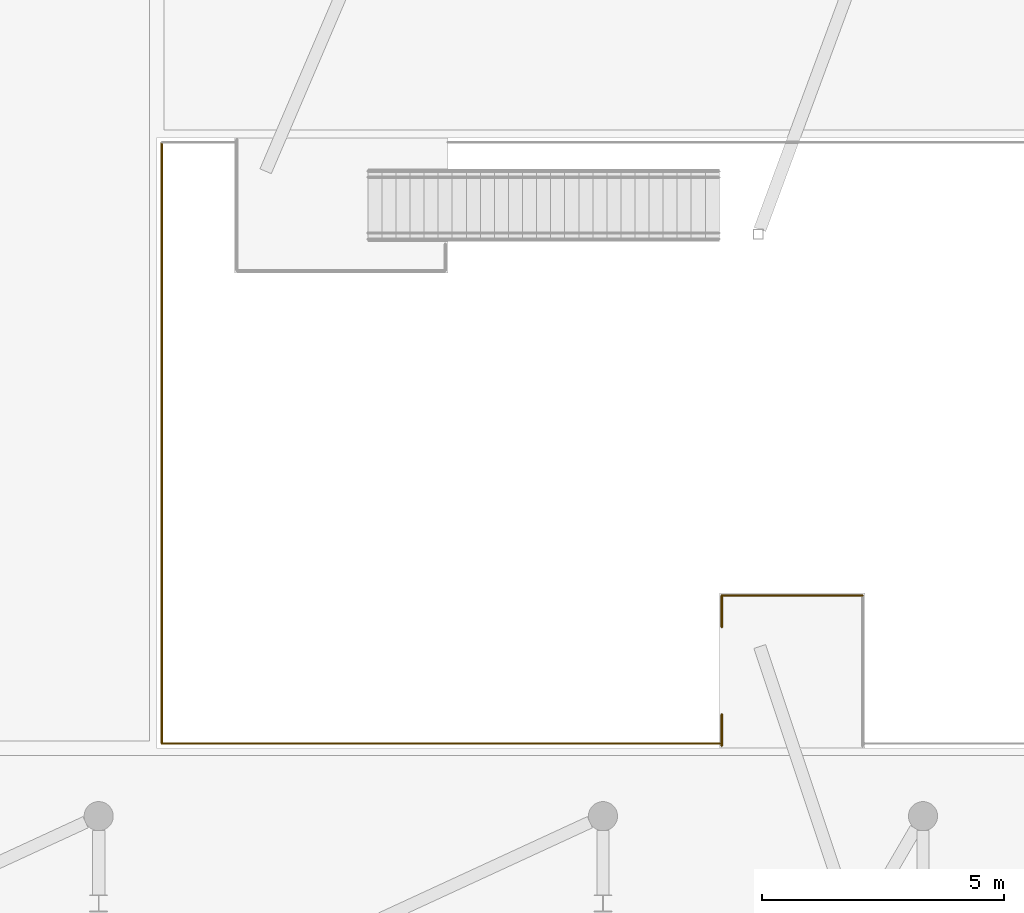
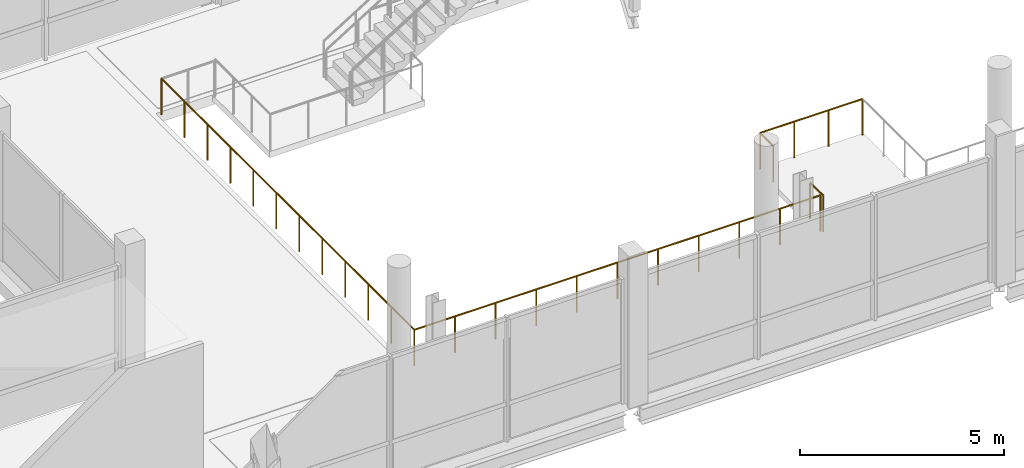
# One storey, part 86 of 95: 5 railings.
"""IFC4 building model written with IfcOpenShell, lengths in metres."""

from ifc_helpers import new_model, si_unit, derived_unit, direction, frame, origin, origin_2d, place, context, subcontext, project, spatial, circle, extrude, material, type_object, element, save


model = new_model("IFC4")

# Units and contexts
model_context = context("Model", 3, precision=1e-05, world=origin(), true_north=direction((0.0, 1.0)))
body_context = subcontext(model_context, "Body", "Model", "MODEL_VIEW")
ifc_project = project(units=[si_unit("LENGTHUNIT", "METRE"), si_unit("AREAUNIT", "SQUARE_METRE"), si_unit("VOLUMEUNIT", "CUBIC_METRE"), si_unit("PLANEANGLEUNIT", "RADIAN"), si_unit("MASSUNIT", "GRAM", prefix="KILO"), derived_unit("THERMALTRANSMITTANCEUNIT", [(si_unit("POWERUNIT", "WATT"), 1), (si_unit("LENGTHUNIT", "METRE"), -2), (si_unit("THERMODYNAMICTEMPERATUREUNIT", "KELVIN"), -1)])], contexts=[model_context])

# Site, building, storey
site_placement = place(None, origin())
site = spatial("IfcSite", under=ifc_project, at=site_placement, CompositionType="ELEMENT")
building_placement = place(site_placement, origin())
building = spatial("IfcBuilding", under=site, at=building_placement, Name="Braskholm Square Health Centre", CompositionType="ELEMENT")
storey_placement = place(building_placement, frame((0.0, 0.0, 4.800048828125)))
storey = spatial("IfcBuildingStorey", under=building, at=storey_placement, Name="L02", CompositionType="ELEMENT", Elevation=4.800048828125)

# Railings
ifc_material = material(Name="Dark patinated chevron architectural bronze", Category="aluminium")
railing_type = type_object("IfcRailingType", Name="BronzeChevronGuardrail1100", PredefinedType="GUARDRAIL", material=ifc_material)
railing_1_placement = place(storey_placement, frame((65.64990234375, 93.5, 0.0)))
element("IfcRailing", 1, at=railing_1_placement, inside=storey, type_object=railing_type, Name="Atrium stair landing edge guard 01", PredefinedType="GUARDRAIL", context=body_context, shape_type="SweptSolid", body=[
    extrude(circle(Radius=0.02392578125, at=origin_2d()), frame((0.0, 0.0, 1.076171875), z_axis=(0.0, 1.0, 0.0), x_axis=(-1.0, 0.0, 0.0)), (0.0, 0.0, 1.0), 0.64990234375),
    extrude(circle(Radius=0.02099609375, at=origin_2d()), origin(), (0.0, 0.0, 1.0), 1.052001953125),
    extrude(circle(Radius=0.02099609375, at=origin_2d()), frame((0.0, 0.64990234375, 0.0)), (0.0, 0.0, 1.0), 1.052001953125),
])
railing_2_placement = place(storey_placement, frame((65.64990234375, 94.14990234375, 0.0)))
element("IfcRailing", 2, at=railing_2_placement, inside=storey, type_object=railing_type, Name="Atrium stair landing edge guard 01", PredefinedType="GUARDRAIL", context=body_context, shape_type="SweptSolid", body=[
    extrude(circle(Radius=0.02392578125, at=origin_2d()), frame((0.0, 0.0, 1.076171875), z_axis=(1.0, 0.0, 0.0), x_axis=(0.0, 1.0, 0.0)), (0.0, 0.0, 1.0), 2.900146484375),
    extrude(circle(Radius=0.02099609375, at=origin_2d()), origin(), (0.0, 0.0, 1.0), 1.052001953125),
    extrude(circle(Radius=0.02099609375, at=origin_2d()), frame((0.966796875, 0.0, 0.0)), (0.0, 0.0, 1.0), 1.052001953125),
    extrude(circle(Radius=0.02099609375, at=origin_2d()), frame((1.933349609375, 0.0, 0.0)), (0.0, 0.0, 1.0), 1.052001953125),
    extrude(circle(Radius=0.02099609375, at=origin_2d()), frame((2.900146484375, 0.0, 0.0)), (0.0, 0.0, 1.0), 1.052001953125),
])
railing_3_placement = place(storey_placement, frame((65.64990234375, 91.699951171875, 0.0)))
element("IfcRailing", 3, at=railing_3_placement, inside=storey, type_object=railing_type, Name="Atrium stair landing edge guard 02", PredefinedType="GUARDRAIL", context=body_context, shape_type="SweptSolid", body=[
    extrude(circle(Radius=0.02392578125, at=origin_2d()), frame((0.0, 0.0, 1.076171875), z_axis=(0.0, -1.0, 0.0), x_axis=(1.0, 0.0, 0.0)), (0.0, 0.0, 1.0), 0.64990234375),
    extrude(circle(Radius=0.02099609375, at=origin_2d()), origin(), (0.0, 0.0, 1.0), 1.052001953125),
    extrude(circle(Radius=0.02099609375, at=origin_2d()), frame((0.0, -0.64990234375, 0.0)), (0.0, 0.0, 1.0), 1.052001953125),
])
railing_4_placement = place(storey_placement, frame((54.10009765625, 91.10009765625, 0.0)))
element("IfcRailing", 4, at=railing_4_placement, inside=storey, type_object=railing_type, Name="Bronze chevron guardrail 0053 L02", PredefinedType="GUARDRAIL", context=body_context, shape_type="SweptSolid", body=[
    extrude(circle(Radius=0.02392578125, at=origin_2d()), frame((0.0, 0.0, 1.076171875), z_axis=(1.0, 0.0, 0.0), x_axis=(0.0, 1.0, 0.0)), (0.0, 0.0, 1.0), 11.5),
    extrude(circle(Radius=0.02099609375, at=origin_2d()), origin(), (0.0, 0.0, 1.0), 1.052001953125),
    extrude(circle(Radius=0.02099609375, at=origin_2d()), frame((1.14990234375, 0.0, 0.0)), (0.0, 0.0, 1.0), 1.052001953125),
    extrude(circle(Radius=0.02099609375, at=origin_2d()), frame((2.300048828125, 0.0, 0.0)), (0.0, 0.0, 1.0), 1.052001953125),
    extrude(circle(Radius=0.02099609375, at=origin_2d()), frame((3.449951171875, 0.0, 0.0)), (0.0, 0.0, 1.0), 1.052001953125),
    extrude(circle(Radius=0.02099609375, at=origin_2d()), frame((4.60009765625, 0.0, 0.0)), (0.0, 0.0, 1.0), 1.052001953125),
    extrude(circle(Radius=0.02099609375, at=origin_2d()), frame((5.75, 0.0, 0.0)), (0.0, 0.0, 1.0), 1.052001953125),
    extrude(circle(Radius=0.02099609375, at=origin_2d()), frame((6.89990234375, 0.0, 0.0)), (0.0, 0.0, 1.0), 1.052001953125),
    extrude(circle(Radius=0.02099609375, at=origin_2d()), frame((8.050048828125, 0.0, 0.0)), (0.0, 0.0, 1.0), 1.052001953125),
    extrude(circle(Radius=0.02099609375, at=origin_2d()), frame((9.199951171875, 0.0, 0.0)), (0.0, 0.0, 1.0), 1.052001953125),
    extrude(circle(Radius=0.02099609375, at=origin_2d()), frame((10.35009765625, 0.0, 0.0)), (0.0, 0.0, 1.0), 1.052001953125),
    extrude(circle(Radius=0.02099609375, at=origin_2d()), frame((11.5, 0.0, 0.0)), (0.0, 0.0, 1.0), 1.052001953125),
])
railing_5_placement = place(storey_placement, frame((54.10009765625, 103.5, 0.0)))
element("IfcRailing", 5, at=railing_5_placement, inside=storey, type_object=railing_type, Name="Bronze chevron guardrail 0060 L02", PredefinedType="GUARDRAIL", context=body_context, shape_type="SweptSolid", body=[
    extrude(circle(Radius=0.02392578125, at=origin_2d()), frame((0.0, 0.0, 1.076171875), z_axis=(0.0, -1.0, 0.0), x_axis=(1.0, 0.0, 0.0)), (0.0, 0.0, 1.0), 12.39990234375),
    extrude(circle(Radius=0.02099609375, at=origin_2d()), origin(), (0.0, 0.0, 1.0), 1.052001953125),
    extrude(circle(Radius=0.02099609375, at=origin_2d()), frame((0.0, -1.127197265625, 0.0)), (0.0, 0.0, 1.0), 1.052001953125),
    extrude(circle(Radius=0.02099609375, at=origin_2d()), frame((0.0, -2.254638671875, 0.0)), (0.0, 0.0, 1.0), 1.052001953125),
    extrude(circle(Radius=0.02099609375, at=origin_2d()), frame((0.0, -3.3818359375, 0.0)), (0.0, 0.0, 1.0), 1.052001953125),
    extrude(circle(Radius=0.02099609375, at=origin_2d()), frame((0.0, -4.509033203125, 0.0)), (0.0, 0.0, 1.0), 1.052001953125),
    extrude(circle(Radius=0.02099609375, at=origin_2d()), frame((0.0, -5.63623046875, 0.0)), (0.0, 0.0, 1.0), 1.052001953125),
    extrude(circle(Radius=0.02099609375, at=origin_2d()), frame((0.0, -6.763671875, 0.0)), (0.0, 0.0, 1.0), 1.052001953125),
    extrude(circle(Radius=0.02099609375, at=origin_2d()), frame((0.0, -7.890869140625, 0.0)), (0.0, 0.0, 1.0), 1.052001953125),
    extrude(circle(Radius=0.02099609375, at=origin_2d()), frame((0.0, -9.01806640625, 0.0)), (0.0, 0.0, 1.0), 1.052001953125),
    extrude(circle(Radius=0.02099609375, at=origin_2d()), frame((0.0, -10.145263671875, 0.0)), (0.0, 0.0, 1.0), 1.052001953125),
    extrude(circle(Radius=0.02099609375, at=origin_2d()), frame((0.0, -11.272705078125, 0.0)), (0.0, 0.0, 1.0), 1.052001953125),
    extrude(circle(Radius=0.02099609375, at=origin_2d()), frame((0.0, -12.39990234375, 0.0)), (0.0, 0.0, 1.0), 1.052001953125),
])

save(model, "model.ifc")
